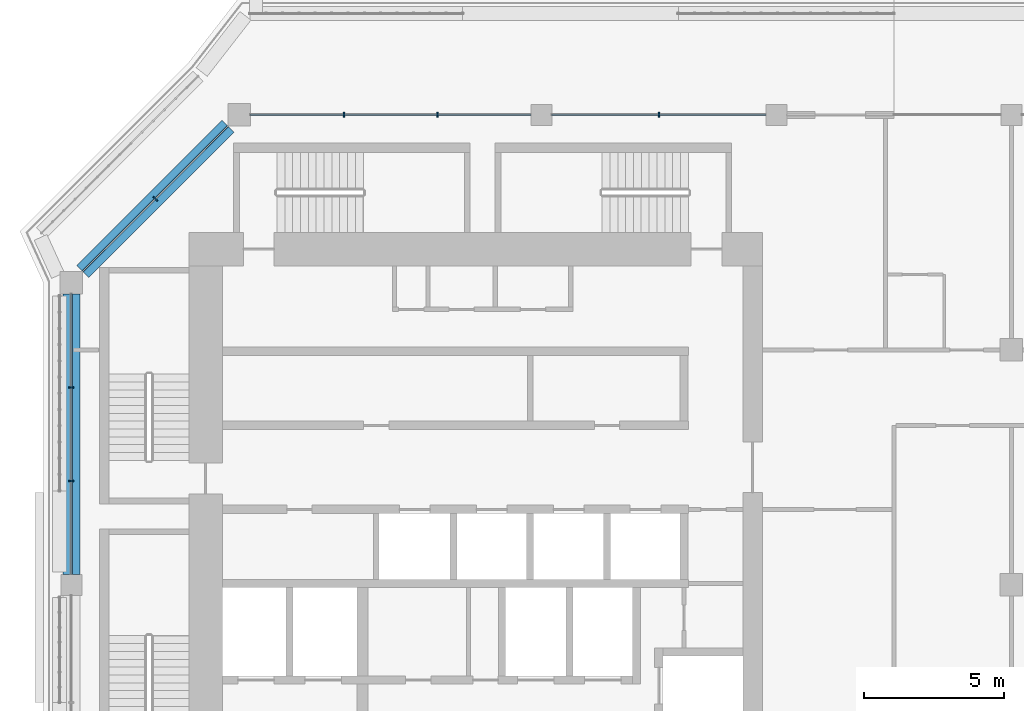
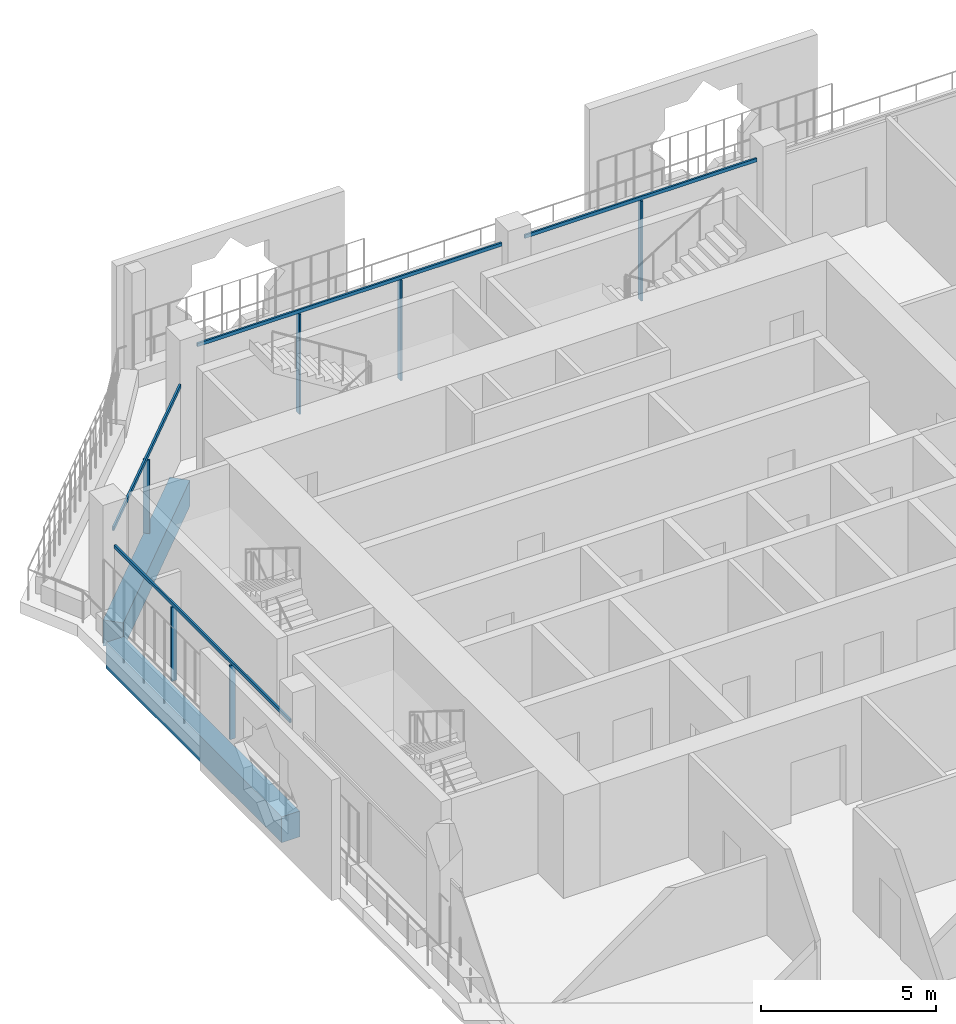
# One storey, part 6 of 21: 10 members, 2 beams, 3 elements without a shape of their own.
"""IFC4 building model written with IfcOpenShell, lengths in metres."""

import ifcopenshell
import ifcopenshell.guid

model = None  # the IFC model being written
_history = None  # IfcOwnerHistory: only IFC2X3 demands one
_inside = {}  # id of a spatial element -> (the spatial element, [elements in it])
_under = {}  # id of a project, library or spatial element -> (it, [spatial elements below it])
_declared = {}  # id of a project -> (the project, [libraries it declares])
_typed = {}  # id of a type object -> (the type object, [elements of that type])
_made_of = {}  # id of a material, layer set ... -> (it, [elements and type objects made of it])


def new_model(schema):
    """Start an empty IFC model of exactly this schema.

    Asked for "IFC4X3", IfcOpenShell would pick the latest addendum, in which some entities
    have other attributes; the version numbers below select the first issue.
    IFC2X3 requires an IfcOwnerHistory on every rooted entity: one is made here for all.
    """
    global model, _history
    if schema == "IFC4X3":
        model = ifcopenshell.file(schema_version=(4, 3, 0, 0))
    else:
        model = ifcopenshell.file(schema=schema)
    _inside.clear()
    _under.clear()
    _declared.clear()
    _typed.clear()
    _made_of.clear()
    _history = None
    if model.schema == "IFC2X3":
        org = make("IfcOrganization", Name="unknown")
        user = make(
            "IfcPersonAndOrganization",
            ThePerson=make("IfcPerson", FamilyName="unknown"),
            TheOrganization=org,
        )
        app = make(
            "IfcApplication",
            ApplicationDeveloper=org,
            Version="unknown",
            ApplicationFullName="unknown",
            ApplicationIdentifier="unknown",
        )
        _history = make(
            "IfcOwnerHistory",
            OwningUser=user,
            OwningApplication=app,
            ChangeAction="ADDED",
            CreationDate=0,
        )
    return model


def make(cls, **values):
    """One entity of the class cls with the attributes given. An attribute that is None is left unset."""
    return model.create_entity(
        cls, **{name: value for name, value in values.items() if value is not None}
    )


def rooted(cls, **values):
    """An entity with a GlobalId (a new one), such as an element, a storey or a relation."""
    return make(cls, GlobalId=ifcopenshell.guid.new(), OwnerHistory=_history, **values)


def si_unit(unit_type, name, prefix=None):
    """IfcSIUnit, for example si_unit("LENGTHUNIT", "METRE", prefix="MILLI")."""
    return make("IfcSIUnit", UnitType=unit_type, Prefix=prefix, Name=name)


def assignment(units):
    """IfcUnitAssignment: the units of a project."""
    return None if units is None else make("IfcUnitAssignment", Units=units)


def point(xyz):
    """IfcCartesianPoint."""
    return None if xyz is None else make("IfcCartesianPoint", Coordinates=xyz)


def direction(xyz):
    """IfcDirection."""
    return None if xyz is None else make("IfcDirection", DirectionRatios=xyz)


def frame(location, z_axis=None, x_axis=None):
    """IfcAxis2Placement3D, a coordinate frame: its origin and axes. An axis left out is left unset."""
    return make(
        "IfcAxis2Placement3D",
        Location=point(location),
        Axis=direction(z_axis),
        RefDirection=direction(x_axis),
    )


def frame_2d(location, x_axis=None):
    """IfcAxis2Placement2D, a coordinate frame in the plane: its origin and x axis."""
    return make(
        "IfcAxis2Placement2D", Location=point(location), RefDirection=direction(x_axis)
    )


def origin():
    """The frame at (0, 0, 0) with its axes left unset."""
    return frame((0.0, 0.0, 0.0))


def origin_2d():
    """The frame at (0, 0) in the plane with its x axis left unset."""
    return frame_2d((0.0, 0.0))


def place(relative_to, where):
    """IfcLocalPlacement: puts the frame where relative to a parent placement (None: the world)."""
    return make(
        "IfcLocalPlacement", PlacementRelTo=relative_to, RelativePlacement=where
    )


def context(
    kind, dimensions, precision=None, world=None, true_north=None, identifier=None
):
    """IfcGeometricRepresentationContext, for example the 3D "Model" context."""
    return make(
        "IfcGeometricRepresentationContext",
        ContextIdentifier=identifier,
        ContextType=kind,
        CoordinateSpaceDimension=dimensions,
        Precision=precision,
        WorldCoordinateSystem=world,
        TrueNorth=true_north,
    )


def subcontext(parent, identifier, kind, view, scale=None):
    """IfcGeometricRepresentationSubContext, for example "Body" below "Model"."""
    return make(
        "IfcGeometricRepresentationSubContext",
        ContextIdentifier=identifier,
        ContextType=kind,
        ParentContext=parent,
        TargetScale=scale,
        TargetView=view,
    )


def project(units=None, contexts=None):
    """IfcProject with its units and contexts."""
    return rooted(
        "IfcProject",
        Name="project",
        RepresentationContexts=contexts,
        UnitsInContext=assignment(units),
    )


def spatial(cls, under=None, at=None, **own):
    """A site, building, storey or space (cls), placed at a placement, below another one or the project."""
    s = rooted(cls, ObjectPlacement=at, **own)
    if under is not None:
        _under.setdefault(under.id(), (under, []))[1].append(s)
    return s


def profile(cls, at=None, kind="AREA", **sizes):
    """A parametric profile (cls). Its sizes go by their IFC names, for example OverallWidth=200.0."""
    return make(cls, ProfileType=kind, Position=at, **sizes)


def rectangle(**sizes):
    """IfcRectangleProfileDef."""
    return profile("IfcRectangleProfileDef", **sizes)


def extrude(swept, where, along, depth):
    """IfcExtrudedAreaSolid: the profile swept, set in the frame where, extruded along a direction by depth."""
    return make(
        "IfcExtrudedAreaSolid",
        SweptArea=swept,
        Position=where,
        ExtrudedDirection=direction(along),
        Depth=depth,
    )


def shape(context_of_items, identifier, shape_type, items):
    """IfcShapeRepresentation: the items that make up one representation, for example the "Body"."""
    return make(
        "IfcShapeRepresentation",
        ContextOfItems=context_of_items,
        RepresentationIdentifier=identifier,
        RepresentationType=shape_type,
        Items=items,
    )


def material(Name=None, Category=None):
    """IfcMaterial."""
    return make("IfcMaterial", Name=Name, Category=Category)


def layer(
    of_material, thickness, ventilated=None, Name=None, Category=None, Priority=None
):
    """IfcMaterialLayer: one layer of a wall or slab, of a material (None: an air gap)."""
    return make(
        "IfcMaterialLayer",
        Material=of_material,
        LayerThickness=thickness,
        IsVentilated=ventilated,
        Name=Name,
        Category=Category,
        Priority=Priority,
    )


def layer_set(layers, Name=None):
    """IfcMaterialLayerSet."""
    return make("IfcMaterialLayerSet", MaterialLayers=layers, LayerSetName=Name)


def material_profile(
    of_material, cross_section, Name=None, Category=None, Priority=None
):
    """IfcMaterialProfile: a cross section and its material."""
    return make(
        "IfcMaterialProfile",
        Name=Name,
        Material=of_material,
        Profile=cross_section,
        Priority=Priority,
        Category=Category,
    )


def profile_set(profiles, Name=None, composite=None):
    """IfcMaterialProfileSet."""
    return make(
        "IfcMaterialProfileSet",
        Name=Name,
        MaterialProfiles=profiles,
        CompositeProfile=composite,
    )


def made_of(thing, what):
    """Note that an element or type object is made of a material, layer set ...; save() writes the relation."""
    if what is not None:
        _made_of.setdefault(what.id(), (what, []))[1].append(thing)
    return thing


def type_object(cls, material=None, **own):
    """A type object (cls), such as IfcWallType, which elements share."""
    return made_of(rooted(cls, **own), material)


def element(
    cls,
    number,
    at=None,
    inside=None,
    cuts=None,
    type_object=None,
    material=None,
    context=None,
    identifier="Body",
    shape_type=None,
    held_by="IfcProductDefinitionShape",
    body=None,
    shapes=None,
    **own,
):
    """One element of the class cls, such as IfcWall. Its Tag is "e" and its number.

    at: its placement. inside: the storey or other place that contains it. cuts: it is an
    opening in that element (IfcRelVoidsElement). A single representation is given by context,
    identifier, shape_type and body (its items); several are given by shapes. held_by: the class
    of the entity that holds the representations. save() writes the other relations.
    """
    e = rooted(cls, Tag="e%d" % number, ObjectPlacement=at, **own)
    if body is not None:
        shapes = [shape(context, identifier, shape_type, body)]
    if shapes is not None:
        e.Representation = make(held_by, Representations=shapes)
    if inside is not None:
        _inside.setdefault(inside.id(), (inside, []))[1].append(e)
    if cuts is not None:
        rooted(
            "IfcRelVoidsElement", RelatingBuildingElement=cuts, RelatedOpeningElement=e
        )
    if type_object is not None:
        _typed.setdefault(type_object.id(), (type_object, []))[1].append(e)
    return made_of(e, material)


def aggregate(whole, parts):
    """IfcRelAggregates: a whole, such as a stair, and the parts it consists of."""
    return rooted("IfcRelAggregates", RelatingObject=whole, RelatedObjects=parts)


def save(model, path):
    """Write the relations noted so far, then the file.

    IfcRelAggregates (storeys below a building ...), IfcRelContainedInSpatialStructure (elements
    in a storey), IfcRelDefinesByType, IfcRelAssociatesMaterial and IfcRelDeclares: one each for
    every whole, place, type object, material and project.
    """
    for whole, parts in _under.values():
        aggregate(whole, parts)
    for where, things in _inside.values():
        rooted(
            "IfcRelContainedInSpatialStructure",
            RelatedElements=things,
            RelatingStructure=where,
        )
    for kind, things in _typed.values():
        rooted("IfcRelDefinesByType", RelatedObjects=things, RelatingType=kind)
    for what, things in _made_of.values():
        rooted("IfcRelAssociatesMaterial", RelatedObjects=things, RelatingMaterial=what)
    for by, libraries in _declared.values():
        rooted("IfcRelDeclares", RelatingContext=by, RelatedDefinitions=libraries)
    model.write(path)


model = new_model("IFC4")

# Units and contexts
model_context = context("Model", 3, precision=1e-05, world=origin(), true_north=direction((0.0, 1.0)))
body_context = subcontext(model_context, "Body", "Model", "MODEL_VIEW")
ifc_project = project(units=[si_unit("LENGTHUNIT", "METRE"), si_unit("AREAUNIT", "SQUARE_METRE"), si_unit("VOLUMEUNIT", "CUBIC_METRE"), si_unit("PLANEANGLEUNIT", "RADIAN"), si_unit("MASSUNIT", "GRAM", prefix="KILO")], contexts=[model_context])

# Site, building, storey
site_placement = place(None, origin())
site = spatial("IfcSite", under=ifc_project, at=site_placement, CompositionType="ELEMENT")
building_placement = place(site_placement, origin())
building = spatial("IfcBuilding", under=site, at=building_placement, Name="Kawkab Arch Medical Tower", CompositionType="ELEMENT")
storey_placement = place(building_placement, frame((0.0, 0.0, 307.0)))
storey = spatial("IfcBuildingStorey", under=building, at=storey_placement, Name="L71", CompositionType="ELEMENT", Elevation=307.0)

# Curtain wall, members
ifc_material_1 = material(Name="Bronze anodised aluminium curtain wall frame", Category="aluminium")
ifc_layer_1 = layer(ifc_material_1, 0.159912109375)
ifc_layer_set_1 = layer_set([ifc_layer_1], Name="Bronze anodised aluminium curtain wall frame")
curtain_wall_type_1 = type_object("IfcCurtainWallType", Name="CW1 ward curtain wall", PredefinedType="NOTDEFINED", material=ifc_layer_set_1)
placement = place(storey_placement, origin())
curtain_wall_1 = element("IfcCurtainWall", 1, at=placement, inside=storey, type_object=curtain_wall_type_1, Name="CW1 Ward curtain wall R02", PredefinedType="NOTDEFINED")
ifc_material_2 = material(Name="Bronze anodised aluminium curtain wall frame", Category="aluminium")
ifc_material_profile_1 = material_profile(ifc_material_2, rectangle(XDim=0.179931640625, YDim=0.06005859375, at=origin_2d()), Name="AL 60x180")
ifc_profile_set_1 = profile_set([ifc_material_profile_1], Name="Bronze anodised aluminium curtain wall frame")
member_type_1 = type_object("IfcMemberType", Name="CW1 mullion 60 x 180", PredefinedType="MULLION", material=ifc_profile_set_1)
member_1_placement = place(storey_placement, frame((0.0, -9.74169921875, 0.0), z_axis=(0.0, 0.0, 1.0), x_axis=(1.0, 0.0, 0.0)))
member_1 = element("IfcMember", 2, at=member_1_placement, type_object=member_type_1, Name="CW1 mullion 1.1", PredefinedType="MULLION", context=body_context, shape_type="SweptSolid", body=[
    extrude(rectangle(XDim=0.179931640625, YDim=0.06005859375, at=origin_2d()), origin(), (0.0, 0.0, 1.0), 2.580078125),
])
member_2_placement = place(storey_placement, frame((0.0, -13.083251953125, 0.0), z_axis=(0.0, 0.0, 1.0), x_axis=(1.0, 0.0, 0.0)))
member_2 = element("IfcMember", 3, at=member_2_placement, type_object=member_type_1, Name="CW1 mullion 1.2", PredefinedType="MULLION", context=body_context, shape_type="SweptSolid", body=[
    extrude(rectangle(XDim=0.179931640625, YDim=0.06005859375, at=origin_2d()), origin(), (0.0, 0.0, 1.0), 2.580078125),
])

curtain_wall_2 = element("IfcCurtainWall", 4, at=placement, inside=storey, type_object=curtain_wall_type_1, Name="CW1 Ward curtain wall R15", PredefinedType="NOTDEFINED")
member_3_placement = place(storey_placement, frame((21.0, 0.0, 0.0), z_axis=(0.0, 0.0, 1.0), x_axis=(0.0, -1.0, 0.0)))
member_3 = element("IfcMember", 5, at=member_3_placement, type_object=member_type_1, Name="CW1 mullion 4.1", PredefinedType="MULLION", context=body_context, shape_type="SweptSolid", body=[
    extrude(rectangle(XDim=0.179931640625, YDim=0.06005859375, at=origin_2d()), origin(), (0.0, 0.0, 1.0), 3.47998046875),
])
member_4_placement = place(storey_placement, frame((13.083251953125, 0.0, 0.0), z_axis=(0.0, 0.0, 1.0), x_axis=(0.0, -1.0, 0.0)))
member_4 = element("IfcMember", 6, at=member_4_placement, type_object=member_type_1, Name="CW1 mullion 5.1", PredefinedType="MULLION", context=body_context, shape_type="SweptSolid", body=[
    extrude(rectangle(XDim=0.179931640625, YDim=0.06005859375, at=origin_2d()), origin(), (0.0, 0.0, 1.0), 3.47998046875),
])
member_5_placement = place(storey_placement, frame((9.74169921875, 0.0, 0.0), z_axis=(0.0, 0.0, 1.0), x_axis=(0.0, -1.0, 0.0)))
member_5 = element("IfcMember", 7, at=member_5_placement, type_object=member_type_1, Name="CW1 mullion 5.2", PredefinedType="MULLION", context=body_context, shape_type="SweptSolid", body=[
    extrude(rectangle(XDim=0.179931640625, YDim=0.06005859375, at=origin_2d()), origin(), (0.0, 0.0, 1.0), 3.47998046875),
])

# Member
ifc_material_3 = material(Name="Bronze anodised aluminium curtain wall frame", Category="aluminium")
ifc_material_profile_2 = material_profile(ifc_material_3, rectangle(XDim=0.06005859375, YDim=0.1201171875, at=origin_2d()), Name="AL 60x120")
ifc_profile_set_2 = profile_set([ifc_material_profile_2], Name="Bronze anodised aluminium curtain wall frame")
member_type_2 = type_object("IfcMemberType", Name="CW1 transom 120 x 60", PredefinedType="USERDEFINED", material=ifc_profile_set_2)
member_6_placement = place(storey_placement, frame((0.0, -6.39990234375, 2.639892578125), z_axis=(0.0, -1.0, 0.0), x_axis=(1.0, 0.0, 0.0)))
member_6 = element("IfcMember", 8, at=member_6_placement, type_object=member_type_2, Name="CW1 transom 1", ObjectType="TRANSOM", PredefinedType="USERDEFINED", context=body_context, shape_type="SweptSolid", body=[
    extrude(rectangle(XDim=0.06005859375, YDim=0.1201171875, at=origin_2d()), origin(), (0.0, 0.0, 1.0), 10.025146484375),
])

aggregate(curtain_wall_1, [member_6, member_1, member_2])

member_7_placement = place(storey_placement, frame((24.824951171875, 0.0, 3.5400390625), z_axis=(-1.0, 0.0, 0.0), x_axis=(0.0, -1.0, 0.0)))
member_7 = element("IfcMember", 9, at=member_7_placement, type_object=member_type_2, Name="CW1 transom 4", ObjectType="TRANSOM", PredefinedType="USERDEFINED", context=body_context, shape_type="SweptSolid", body=[
    extrude(rectangle(XDim=0.06005859375, YDim=0.1201171875, at=origin_2d()), origin(), (0.0, 0.0, 1.0), 7.64990234375),
])

member_8_placement = place(storey_placement, frame((16.425048828125, 0.0, 3.5400390625), z_axis=(-1.0, 0.0, 0.0), x_axis=(0.0, -1.0, 0.0)))
member_8 = element("IfcMember", 10, at=member_8_placement, type_object=member_type_2, Name="CW1 transom 5", ObjectType="TRANSOM", PredefinedType="USERDEFINED", context=body_context, shape_type="SweptSolid", body=[
    extrude(rectangle(XDim=0.06005859375, YDim=0.1201171875, at=origin_2d()), origin(), (0.0, 0.0, 1.0), 10.025146484375),
])

aggregate(curtain_wall_2, [member_7, member_3, member_8, member_4, member_5])

# Curtain wall, members
ifc_material_4 = material(Name="Bronze anodised aluminium curtain wall frame", Category="aluminium")
ifc_layer_2 = layer(ifc_material_4, 0.159912109375)
ifc_layer_set_2 = layer_set([ifc_layer_2], Name="Bronze anodised aluminium curtain wall frame")
curtain_wall_type_2 = type_object("IfcCurtainWallType", Name="CW2 chamfer curtain wall", PredefinedType="NOTDEFINED", material=ifc_layer_set_2)
curtain_wall_3 = element("IfcCurtainWall", 11, at=placement, inside=storey, type_object=curtain_wall_type_2, Name="CW2 Chamfer curtain wall R01", PredefinedType="NOTDEFINED")
ifc_material_5 = material(Name="Bronze anodised aluminium curtain wall frame", Category="aluminium")
ifc_material_profile_3 = material_profile(ifc_material_5, rectangle(XDim=0.199951171875, YDim=0.06005859375, at=origin_2d()), Name="AL 60x200")
ifc_profile_set_3 = profile_set([ifc_material_profile_3], Name="Bronze anodised aluminium curtain wall frame")
member_type_3 = type_object("IfcMemberType", Name="CW2 mullion 60 x 200", PredefinedType="MULLION", material=ifc_profile_set_3)
member_9_placement = place(storey_placement, frame((3.0, -3.0, 0.0), z_axis=(0.0, 0.0, 1.0), x_axis=(0.707106781187, -0.707106781187, 0.0)))
member_9 = element("IfcMember", 12, at=member_9_placement, type_object=member_type_3, Name="CW2 mullion 1.1", PredefinedType="MULLION", context=body_context, shape_type="SweptSolid", body=[
    extrude(rectangle(XDim=0.199951171875, YDim=0.06005859375, at=origin_2d()), origin(), (0.0, 0.0, 1.0), 2.56005859375),
])
ifc_material_6 = material(Name="Bronze anodised aluminium curtain wall frame", Category="aluminium")
ifc_material_profile_4 = material_profile(ifc_material_6, rectangle(XDim=0.06005859375, YDim=0.139892578125, at=origin_2d()), Name="AL 60x140")
ifc_profile_set_4 = profile_set([ifc_material_profile_4], Name="Bronze anodised aluminium curtain wall frame")
member_type_4 = type_object("IfcMemberType", Name="CW2 transom 140 x 60", PredefinedType="USERDEFINED", material=ifc_profile_set_4)
member_10_placement = place(storey_placement, frame((5.60009765625, -0.39990234375, 2.6298828125), z_axis=(-0.707106781187, -0.707106781187, 0.0), x_axis=(0.707106781187, -0.707106781187, 0.0)))
member_10 = element("IfcMember", 13, at=member_10_placement, type_object=member_type_4, Name="CW2 transom 1", ObjectType="TRANSOM", PredefinedType="USERDEFINED", context=body_context, shape_type="SweptSolid", body=[
    extrude(rectangle(XDim=0.06005859375, YDim=0.139892578125, at=origin_2d()), origin(), (0.0, 0.0, 1.0), 7.354248046875),
])
aggregate(curtain_wall_3, [member_10, member_9])

# Beams
ifc_material_7 = material(Name="Concrete C40/50", Category="concrete")
ifc_material_profile_5 = material_profile(ifc_material_7, rectangle(XDim=0.60009765625, YDim=0.89990234375, at=origin_2d()), Name="RC 600x900")
ifc_profile_set_5 = profile_set([ifc_material_profile_5], Name="Concrete C40/50")
beam_type = type_object("IfcBeamType", Name="RC 600x900 beam C40/50", PredefinedType="BEAM", material=ifc_profile_set_5)
beam_1_placement = place(storey_placement, frame((0.39990234375, -5.60009765625, -1.050048828125), z_axis=(0.707106781187, 0.707106781187, 0.0), x_axis=(-0.707106781187, 0.707106781187, 0.0)))
element("IfcBeam", 14, at=beam_1_placement, inside=storey, type_object=beam_type, Name="Overhang edge beam L71-01", PredefinedType="BEAM", context=body_context, shape_type="SweptSolid", body=[
    extrude(rectangle(XDim=0.60009765625, YDim=0.89990234375, at=origin_2d()), origin(), (0.0, 0.0, 1.0), 7.354248046875),
])
beam_2_placement = place(storey_placement, frame((0.0, -16.425048828125, -1.050048828125), z_axis=(0.0, 1.0, 0.0), x_axis=(-1.0, 0.0, 0.0)))
element("IfcBeam", 15, at=beam_2_placement, inside=storey, type_object=beam_type, Name="Overhang edge beam L71-05", PredefinedType="BEAM", context=body_context, shape_type="SweptSolid", body=[
    extrude(rectangle(XDim=0.60009765625, YDim=0.89990234375, at=origin_2d()), origin(), (0.0, 0.0, 1.0), 10.025146484375),
])

save(model, "model.ifc")
